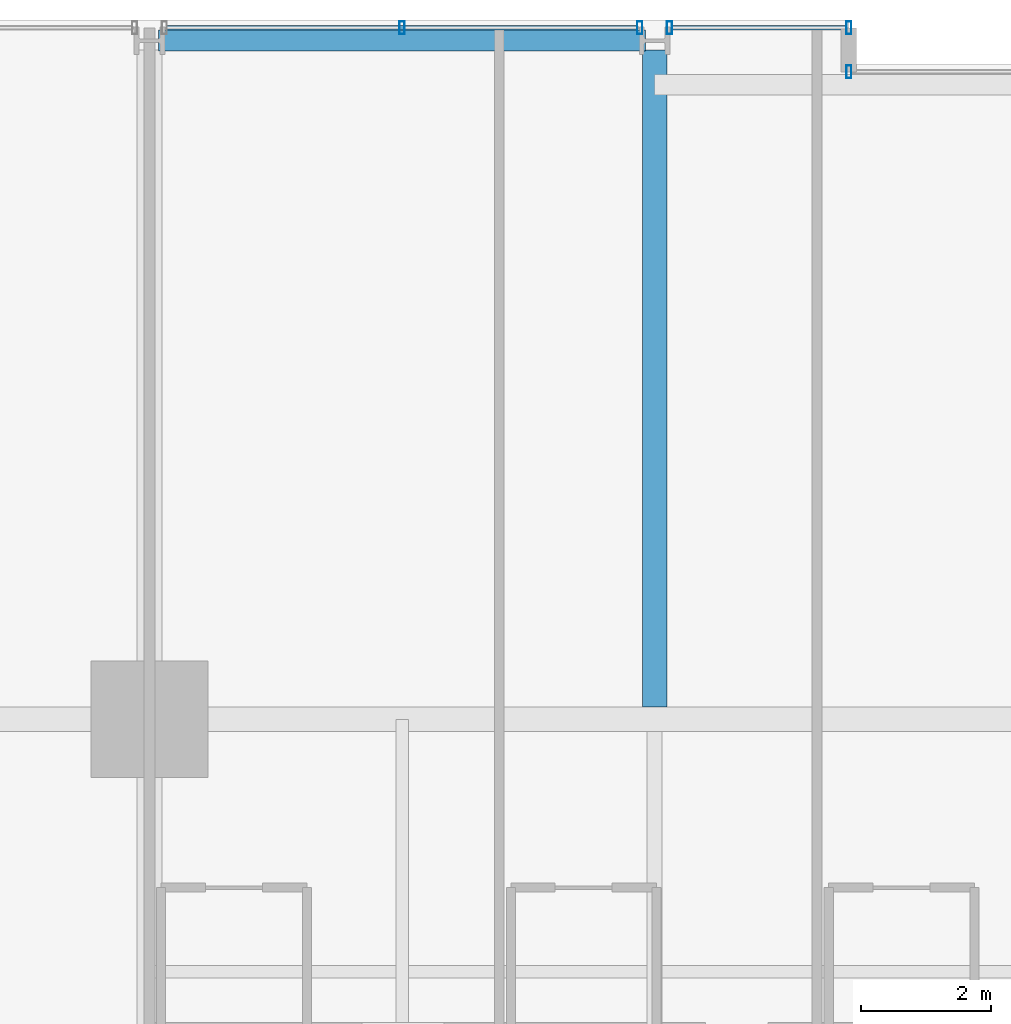
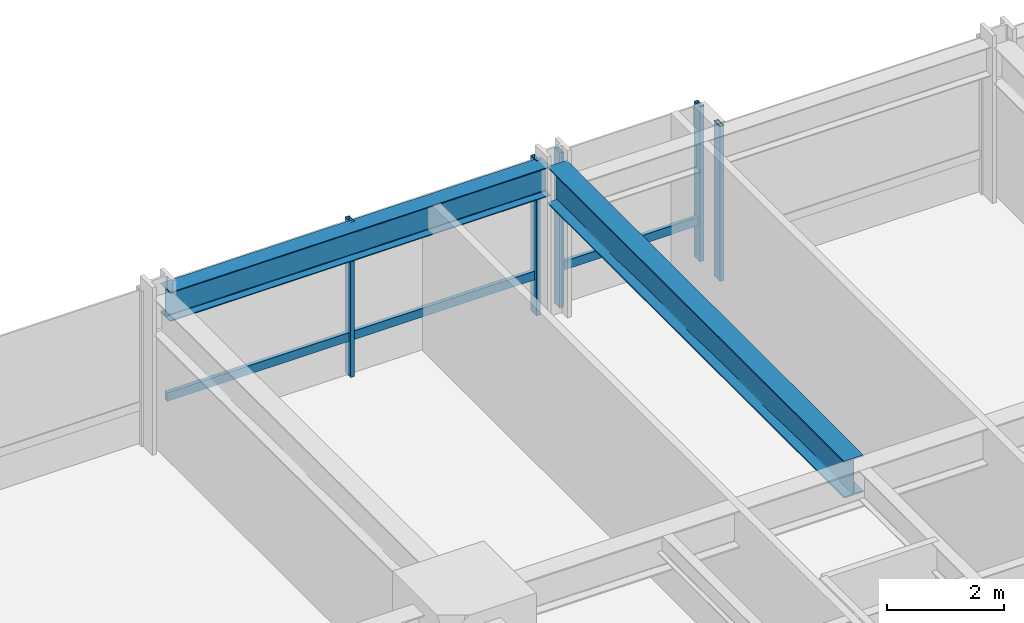
# One storey, part 22 of 38: 7 members, 2 beams, 3 elements without a shape of their own.
"""IFC4 building model written with IfcOpenShell, lengths in metres."""

from ifc_helpers import new_model, si_unit, direction, frame, origin, origin_2d, place, context, subcontext, project, spatial, hollow_rectangle, i_section, extrude, material, layer, layer_set, material_profile, profile_set, type_object, element, aggregate, save


model = new_model("IFC4")

# Units and contexts
model_context = context("Model", 3, precision=1e-05, world=origin(), true_north=direction((0.0, 1.0)))
body_context = subcontext(model_context, "Body", "Model", "MODEL_VIEW")
ifc_project = project(units=[si_unit("LENGTHUNIT", "METRE"), si_unit("AREAUNIT", "SQUARE_METRE"), si_unit("VOLUMEUNIT", "CUBIC_METRE"), si_unit("PLANEANGLEUNIT", "RADIAN"), si_unit("MASSUNIT", "GRAM", prefix="KILO")], contexts=[model_context])

# Site, building, storey
site_placement = place(None, origin())
site = spatial("IfcSite", under=ifc_project, at=site_placement, CompositionType="ELEMENT")
building_placement = place(site_placement, origin())
building = spatial("IfcBuilding", under=site, at=building_placement, Name="Drelvath Grand Hotel", CompositionType="ELEMENT")
storey_placement = place(building_placement, frame((0.0, 0.0, 64.699951171875)))
storey = spatial("IfcBuildingStorey", under=building, at=storey_placement, Name="L15", CompositionType="ELEMENT", Elevation=64.699951171875)

# Curtain wall, member
ifc_material_1 = material(Name="Warm Bronze Anodised Aluminium Frame", Category="aluminium")
ifc_layer = layer(ifc_material_1, 0.199951171875)
ifc_layer_set = layer_set([ifc_layer], Name="Warm Bronze Anodised Aluminium Frame")
curtain_wall_type = type_object("IfcCurtainWallType", Name="Stick Curtain Wall CW-02 Warm Bronze Low-Rise", PredefinedType="NOTDEFINED", material=ifc_layer_set)
curtain_wall_1_placement = place(storey_placement, origin())
curtain_wall_1 = element("IfcCurtainWall", 1, at=curtain_wall_1_placement, inside=storey, type_object=curtain_wall_type, Name="L15 CW-02 Curtain Wall CW02-L15-NW2", PredefinedType="NOTDEFINED")
ifc_material_profile_1 = material_profile(ifc_material_1, hollow_rectangle(XDim=0.074951171875, YDim=0.179931640625, WallThickness=0.0048828125, at=origin_2d()), Name="HSS180X75X5")
ifc_profile_set_1 = profile_set([ifc_material_profile_1], Name="Warm Bronze Anodised Aluminium Frame")
member_type_1 = type_object("IfcMemberType", Name="Curtain Wall Horizontal Transom CW-02 HSS180X75X5", PredefinedType="USERDEFINED", material=ifc_profile_set_1)
member_1_placement = place(storey_placement, frame((-15.930908203125, 53.8798828125, 0.81005859375), z_axis=(1.0, 0.0, 0.0), x_axis=(0.0, 1.0, 0.0)))
member_1 = element("IfcMember", 2, at=member_1_placement, type_object=member_type_1, Name="CW02-L15-NW2 Sill Transom", ObjectType="TRANSOM", PredefinedType="USERDEFINED", context=body_context, shape_type="SweptSolid", body=[
    extrude(hollow_rectangle(XDim=0.074951171875, YDim=0.179931640625, WallThickness=0.0048828125, at=origin_2d()), origin(), (0.0, 0.0, 1.0), 7.26171875),
])

curtain_wall_2_placement = place(storey_placement, origin())
curtain_wall_2 = element("IfcCurtainWall", 3, at=curtain_wall_2_placement, inside=storey, type_object=curtain_wall_type, Name="L15 CW-02 Curtain Wall CW02-L15-NW3", PredefinedType="NOTDEFINED")
member_2_placement = place(storey_placement, frame((-8.130859375, 53.8798828125, 0.81005859375), z_axis=(1.0, 0.0, 0.0), x_axis=(0.0, 1.0, 0.0)))
member_2 = element("IfcMember", 4, at=member_2_placement, type_object=member_type_1, Name="CW02-L15-NW3 Sill Transom", ObjectType="TRANSOM", PredefinedType="USERDEFINED", context=body_context, shape_type="SweptSolid", body=[
    extrude(hollow_rectangle(XDim=0.074951171875, YDim=0.179931640625, WallThickness=0.0048828125, at=origin_2d()), origin(), (0.0, 0.0, 1.0), 2.69091796875),
])

# Member
ifc_material_profile_2 = material_profile(ifc_material_1, hollow_rectangle(XDim=0.080078125, YDim=0.199951171875, WallThickness=0.0048828125, at=origin_2d()), Name="HSS200X80X5")
ifc_profile_set_2 = profile_set([ifc_material_profile_2], Name="Warm Bronze Anodised Aluminium Frame")
member_type_2 = type_object("IfcMemberType", Name="Curtain Wall Vertical Mullion CW-02 HSS200X80X5", PredefinedType="MULLION", material=ifc_profile_set_2)
member_3_placement = place(storey_placement, frame((-12.300048828125, 53.8798828125, 0.0), z_axis=(0.0, 0.0, 1.0), x_axis=(1.0, 0.0, 0.0)))
member_3 = element("IfcMember", 5, at=member_3_placement, type_object=member_type_2, Name="CW02-L15-NW2 Mullion 2", PredefinedType="MULLION", context=body_context, shape_type="SweptSolid", body=[
    extrude(hollow_rectangle(XDim=0.080078125, YDim=0.199951171875, WallThickness=0.0048828125, at=origin_2d()), origin(), (0.0, 0.0, 1.0), 3.239990234375),
])

member_4_placement = place(storey_placement, frame((-8.629150390625, 53.8798828125, 0.0), z_axis=(0.0, 0.0, 1.0), x_axis=(1.0, 0.0, 0.0)))
member_4 = element("IfcMember", 6, at=member_4_placement, type_object=member_type_2, Name="CW02-L15-NW2 Mullion 3", PredefinedType="MULLION", context=body_context, shape_type="SweptSolid", body=[
    extrude(hollow_rectangle(XDim=0.080078125, YDim=0.199951171875, WallThickness=0.0048828125, at=origin_2d()), origin(), (0.0, 0.0, 1.0), 3.239990234375),
])

aggregate(curtain_wall_1, [member_3, member_4, member_1])

member_5_placement = place(storey_placement, frame((-8.1708984375, 53.8798828125, 0.0), z_axis=(0.0, 0.0, 1.0), x_axis=(1.0, 0.0, 0.0)))
member_5 = element("IfcMember", 7, at=member_5_placement, type_object=member_type_2, Name="CW02-L15-NW3 Mullion 1", PredefinedType="MULLION", context=body_context, shape_type="SweptSolid", body=[
    extrude(hollow_rectangle(XDim=0.080078125, YDim=0.199951171875, WallThickness=0.0048828125, at=origin_2d()), origin(), (0.0, 0.0, 1.0), 3.239990234375),
])

member_6_placement = place(storey_placement, frame((-5.39990234375, 53.8798828125, 0.0), z_axis=(0.0, 0.0, 1.0), x_axis=(1.0, 0.0, 0.0)))
member_6 = element("IfcMember", 8, at=member_6_placement, type_object=member_type_2, Name="CW02-L15-NW3 Mullion 2", PredefinedType="MULLION", context=body_context, shape_type="SweptSolid", body=[
    extrude(hollow_rectangle(XDim=0.080078125, YDim=0.199951171875, WallThickness=0.0048828125, at=origin_2d()), origin(), (0.0, 0.0, 1.0), 3.239990234375),
])

aggregate(curtain_wall_2, [member_5, member_6, member_2])

# Curtain wall, member
curtain_wall_3_placement = place(storey_placement, origin())
curtain_wall_3 = element("IfcCurtainWall", 9, at=curtain_wall_3_placement, inside=storey, type_object=curtain_wall_type, Name="L15 CW-02 Curtain Wall CW02-L15-NM1", PredefinedType="NOTDEFINED")
member_7_placement = place(storey_placement, frame((-5.39990234375, 53.199951171875, 0.0), z_axis=(0.0, 0.0, 1.0), x_axis=(1.0, 0.0, 0.0)))
member_7 = element("IfcMember", 10, at=member_7_placement, type_object=member_type_2, Name="CW02-L15-NM1 Mullion 1", PredefinedType="MULLION", context=body_context, shape_type="SweptSolid", body=[
    extrude(hollow_rectangle(XDim=0.080078125, YDim=0.199951171875, WallThickness=0.0048828125, at=origin_2d()), origin(), (0.0, 0.0, 1.0), 3.239990234375),
])
aggregate(curtain_wall_3, [member_7])

# Beams
ifc_material_2 = material(Name="Steel ASTM A992 Gr 50", Category="steel")
ifc_material_profile_3 = material_profile(ifc_material_2, i_section(OverallWidth=0.323974609375, OverallDepth=0.611083984375, WebThickness=0.0126953125, FlangeThickness=0.01904296875, FilletRadius=0.02197265625, at=origin_2d()), Name="W24X104")
ifc_profile_set_3 = profile_set([ifc_material_profile_3], Name="Steel ASTM A992 Gr 50")
beam_type_1 = type_object("IfcBeamType", Name="Perimeter Spandrel Beam W24X104", PredefinedType="SPANDREL", material=ifc_profile_set_3)
beam_1_placement = place(storey_placement, frame((-16.06005859375, 53.679931640625, 2.9345703125), z_axis=(1.0, 0.0, 0.0), x_axis=(0.0, 1.0, 0.0)))
element("IfcBeam", 11, at=beam_1_placement, inside=storey, type_object=beam_type_1, Name="L15 Spandrel North W", PredefinedType="SPANDREL", context=body_context, shape_type="SweptSolid", body=[
    extrude(i_section(OverallWidth=0.323974609375, OverallDepth=0.611083984375, WebThickness=0.0126953125, FlangeThickness=0.01904296875, FilletRadius=0.02197265625, at=origin_2d()), origin(), (0.0, 0.0, 1.0), 7.52001953125),
])
ifc_material_profile_4 = material_profile(ifc_material_2, i_section(OverallWidth=0.380615234375, OverallDepth=0.773193359375, WebThickness=0.0166015625, FlangeThickness=0.027099609375, FilletRadius=0.02490234375, at=origin_2d()), Name="W30X173")
ifc_profile_set_4 = profile_set([ifc_material_profile_4], Name="Steel ASTM A992 Gr 50")
beam_type_2 = type_object("IfcBeamType", Name="Primary Floor Girder W30X173", PredefinedType="BEAM", material=ifc_profile_set_4)
beam_2_placement = place(storey_placement, frame((-8.39990234375, 43.390380859375, 2.853515625), z_axis=(0.0, 1.0, 0.0), x_axis=(-1.0, 0.0, 0.0)))
element("IfcBeam", 12, at=beam_2_placement, inside=storey, type_object=beam_type_2, Name="L15 North Wing Girder 4", PredefinedType="BEAM", context=body_context, shape_type="SweptSolid", body=[
    extrude(i_section(OverallWidth=0.380615234375, OverallDepth=0.773193359375, WebThickness=0.0166015625, FlangeThickness=0.027099609375, FilletRadius=0.02490234375, at=origin_2d()), origin(), (0.0, 0.0, 1.0), 10.149658203125),
])

save(model, "model.ifc")
